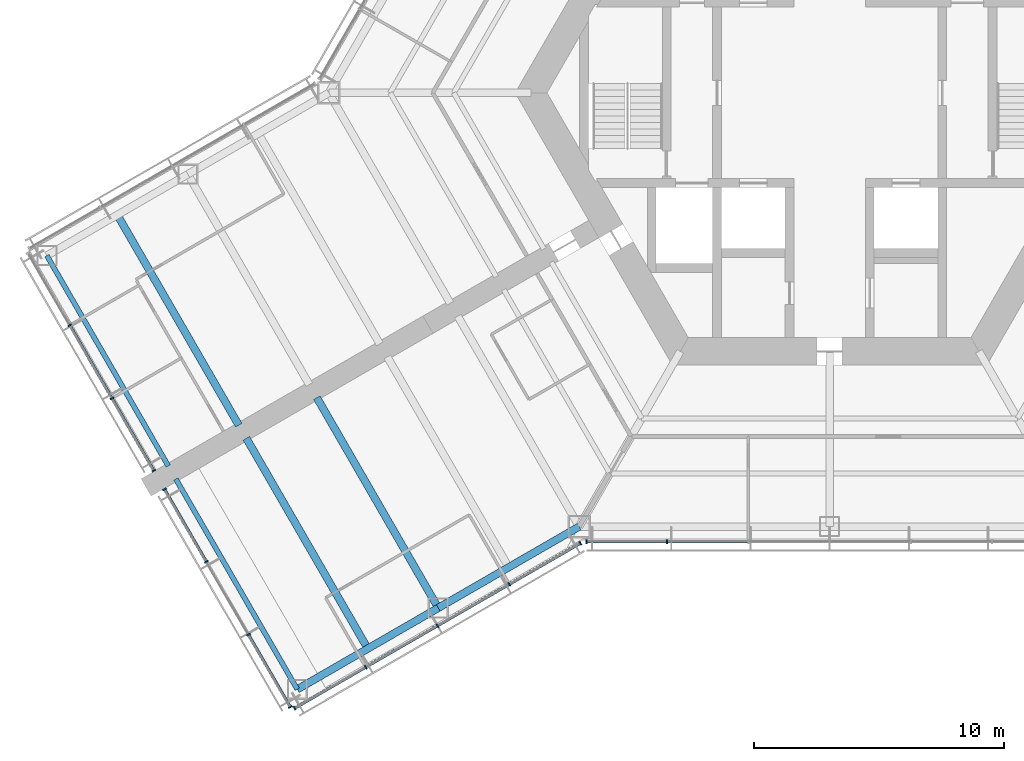
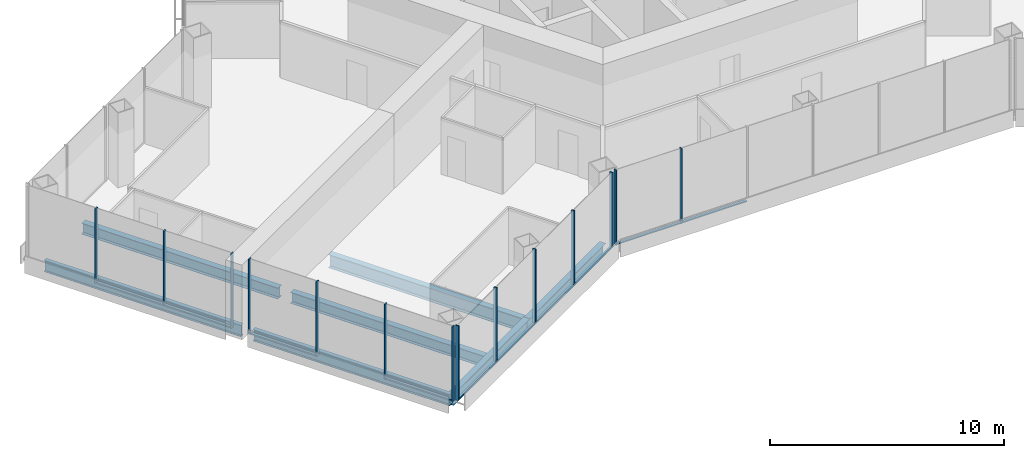
# One storey, part 2 of 19: 24 members, 7 beams, 4 elements without a shape of their own.
"""IFC4 building model written with IfcOpenShell, lengths in metres."""

from ifc_helpers import new_model, si_unit, direction, frame, origin, origin_2d, place, context, subcontext, project, spatial, rectangle, i_section, extrude, material, material_profile, profile_set, type_object, element, aggregate, save


model = new_model("IFC4")

# Units and contexts
model_context = context("Model", 3, precision=1e-05, world=origin(), true_north=direction((0.0, 1.0)))
body_context = subcontext(model_context, "Body", "Model", "MODEL_VIEW")
ifc_project = project(units=[si_unit("LENGTHUNIT", "METRE"), si_unit("AREAUNIT", "SQUARE_METRE"), si_unit("VOLUMEUNIT", "CUBIC_METRE"), si_unit("PLANEANGLEUNIT", "RADIAN"), si_unit("MASSUNIT", "GRAM", prefix="KILO")], contexts=[model_context])

# Site, building, storey
site_placement = place(None, origin())
site = spatial("IfcSite", under=ifc_project, at=site_placement, CompositionType="ELEMENT")
building_placement = place(site_placement, origin())
building = spatial("IfcBuilding", under=site, at=building_placement, Name="Kasaneha Research Tower", CompositionType="ELEMENT")
storey_placement = place(building_placement, frame((0.0, 0.0, 100.199951171875)))
storey = spatial("IfcBuildingStorey", under=building, at=storey_placement, Name="L25", CompositionType="ELEMENT", Elevation=100.199951171875)

# Beams
ifc_material_1 = material(Name="Steel SN490B", Category="steel")
ifc_material_profile_1 = material_profile(ifc_material_1, i_section(OverallWidth=0.300048828125, OverallDepth=0.58203125, WebThickness=0.011962890625, FlangeThickness=0.01708984375, FilletRadius=0.012939453125, at=origin_2d()), Name="H-582x300x12x17")
ifc_profile_set_1 = profile_set([ifc_material_profile_1], Name="Steel SN490B")
beam_type_1 = type_object("IfcBeamType", Name="B2-3 secondary beam H-582x300x12x17", PredefinedType="JOIST", material=ifc_profile_set_1)
for number, where, z_axis, x_axis, name in (
    (1, (-28.44384765625, -4.875, -0.44091796875), (0.500010041276, -0.866019606374, 0.0), (0.866019606374, 0.500010041276, 0.0), "Secondary beam WBBP2 L25"),
    (2, (-18.44384765625, -22.195556640625, -0.44091796875), (-0.499991164321, 0.866030505006, 0.0), (-0.866030505006, -0.499991164321, 0.0), "Secondary beam WBBN2 L25"),
):
    element("IfcBeam", number, at=place(storey_placement, frame(where, z_axis=z_axis, x_axis=x_axis)), inside=storey, type_object=beam_type_1, Name=name, PredefinedType="JOIST", context=body_context, shape_type="SweptSolid", body=[
        extrude(i_section(OverallWidth=0.300048828125, OverallDepth=0.58203125, WebThickness=0.011962890625, FlangeThickness=0.01708984375, FilletRadius=0.012939453125, at=origin_2d()), origin(), (0.0, 0.0, 1.0), 9.699951171875),
    ])

# Curtain wall, members
ifc_material_2 = material(Name="Glass and aluminium", Category="aluminium")
curtain_wall_type = type_object("IfcCurtainWallType", Name="Low-rise office curtain wall", PredefinedType="USERDEFINED", material=ifc_material_2)
curtain_wall_1_placement = place(storey_placement, origin())
curtain_wall_1 = element("IfcCurtainWall", 3, at=curtain_wall_1_placement, inside=storey, type_object=curtain_wall_type, Name="CW-O1 L25 run 01a", ObjectType="UNITISED CURTAIN WALL", PredefinedType="USERDEFINED")
ifc_material_3 = material(Name="Aluminium 6063-T6", Category="aluminium")
ifc_material_profile_2 = material_profile(ifc_material_3, rectangle(XDim=0.06005859375, YDim=0.159912109375, at=origin_2d()), Name="CW-O1 mullion 60x160")
ifc_profile_set_2 = profile_set([ifc_material_profile_2], Name="Aluminium 6063-T6")
member_type_1 = type_object("IfcMemberType", Name="CW-O1 mullion", PredefinedType="MULLION", material=ifc_profile_set_2)
member_1_placement = place(storey_placement, frame((-21.365478515625, -24.5751953125, 0.0), z_axis=(0.0, 0.0, 1.0), x_axis=(0.866025411464, 0.499999986699, 0.0)))
member_1 = element("IfcMember", 4, at=member_1_placement, type_object=member_type_1, Name="CW-O1 mullion 1", PredefinedType="MULLION", context=body_context, shape_type="SweptSolid", body=[
    extrude(rectangle(XDim=0.06005859375, YDim=0.159912109375, at=origin_2d()), origin(), (0.0, 0.0, 1.0), 3.900146484375),
])
member_2_placement = place(storey_placement, frame((-18.52490234375, -22.935302734375, 0.0), z_axis=(0.0, 0.0, 1.0), x_axis=(0.866025411464, 0.499999986699, 0.0)))
member_2 = element("IfcMember", 5, at=member_2_placement, type_object=member_type_1, Name="CW-O1 mullion 2", PredefinedType="MULLION", context=body_context, shape_type="SweptSolid", body=[
    extrude(rectangle(XDim=0.06005859375, YDim=0.159912109375, at=origin_2d()), origin(), (0.0, 0.0, 1.0), 3.900146484375),
])
member_3_placement = place(storey_placement, frame((-15.65869140625, -21.2802734375, 0.0), z_axis=(0.0, 0.0, 1.0), x_axis=(0.866025411464, 0.499999986699, 0.0)))
member_3 = element("IfcMember", 6, at=member_3_placement, type_object=member_type_1, Name="CW-O1 mullion 3", PredefinedType="MULLION", context=body_context, shape_type="SweptSolid", body=[
    extrude(rectangle(XDim=0.06005859375, YDim=0.159912109375, at=origin_2d()), origin(), (0.0, 0.0, 1.0), 3.900146484375),
])
member_4_placement = place(storey_placement, frame((-12.792236328125, -19.62548828125, 0.0), z_axis=(0.0, 0.0, 1.0), x_axis=(0.866025411464, 0.499999986699, 0.0)))
member_4 = element("IfcMember", 7, at=member_4_placement, type_object=member_type_1, Name="CW-O1 mullion 4", PredefinedType="MULLION", context=body_context, shape_type="SweptSolid", body=[
    extrude(rectangle(XDim=0.06005859375, YDim=0.159912109375, at=origin_2d()), origin(), (0.0, 0.0, 1.0), 3.900146484375),
])
member_5_placement = place(storey_placement, frame((-9.951904296875, -17.985595703125, 0.0), z_axis=(0.0, 0.0, 1.0), x_axis=(0.866025411464, 0.499999986699, 0.0)))
member_5 = element("IfcMember", 8, at=member_5_placement, type_object=member_type_1, Name="CW-O1 mullion 5", PredefinedType="MULLION", context=body_context, shape_type="SweptSolid", body=[
    extrude(rectangle(XDim=0.06005859375, YDim=0.159912109375, at=origin_2d()), origin(), (0.0, 0.0, 1.0), 3.900146484375),
])

curtain_wall_2_placement = place(storey_placement, origin())
curtain_wall_2 = element("IfcCurtainWall", 9, at=curtain_wall_2_placement, inside=storey, type_object=curtain_wall_type, Name="CW-O1 L25 run 02a", ObjectType="UNITISED CURTAIN WALL", PredefinedType="USERDEFINED")
member_6_placement = place(storey_placement, frame((-9.709228515625, -17.92041015625, 0.0), z_axis=(0.0, 0.0, 1.0), x_axis=(1.0, 0.0, 0.0)))
member_6 = element("IfcMember", 10, at=member_6_placement, type_object=member_type_1, Name="CW-O1 mullion 1", PredefinedType="MULLION", context=body_context, shape_type="SweptSolid", body=[
    extrude(rectangle(XDim=0.06005859375, YDim=0.159912109375, at=origin_2d()), origin(), (0.0, 0.0, 1.0), 3.900146484375),
])
member_7_placement = place(storey_placement, frame((-6.492919921875, -17.92041015625, 0.0), z_axis=(0.0, 0.0, 1.0), x_axis=(1.0, 0.0, 0.0)))
member_7 = element("IfcMember", 11, at=member_7_placement, type_object=member_type_1, Name="CW-O1 mullion 2", PredefinedType="MULLION", context=body_context, shape_type="SweptSolid", body=[
    extrude(rectangle(XDim=0.06005859375, YDim=0.159912109375, at=origin_2d()), origin(), (0.0, 0.0, 1.0), 3.900146484375),
])

curtain_wall_3_placement = place(storey_placement, origin())
curtain_wall_3 = element("IfcCurtainWall", 12, at=curtain_wall_3_placement, inside=storey, type_object=curtain_wall_type, Name="CW-O1 L25 run 14a", ObjectType="UNITISED CURTAIN WALL", PredefinedType="USERDEFINED")
member_8_placement = place(storey_placement, frame((-30.3447265625, -9.28271484375, 0.0), z_axis=(0.0, 0.0, 1.0), x_axis=(0.500000011442, -0.866025397178, 0.0)))
member_8 = element("IfcMember", 13, at=member_8_placement, type_object=member_type_1, Name="CW-O1 mullion 2", PredefinedType="MULLION", context=body_context, shape_type="SweptSolid", body=[
    extrude(rectangle(XDim=0.06005859375, YDim=0.159912109375, at=origin_2d()), origin(), (0.0, 0.0, 1.0), 3.900146484375),
])
member_9_placement = place(storey_placement, frame((-28.661376953125, -12.1982421875, 0.0), z_axis=(0.0, 0.0, 1.0), x_axis=(0.500000011442, -0.866025397178, 0.0)))
member_9 = element("IfcMember", 14, at=member_9_placement, type_object=member_type_1, Name="CW-O1 mullion 3", PredefinedType="MULLION", context=body_context, shape_type="SweptSolid", body=[
    extrude(rectangle(XDim=0.06005859375, YDim=0.159912109375, at=origin_2d()), origin(), (0.0, 0.0, 1.0), 3.900146484375),
])
member_10_placement = place(storey_placement, frame((-26.992919921875, -15.087890625, 0.0), z_axis=(0.0, 0.0, 1.0), x_axis=(0.500000011442, -0.866025397178, 0.0)))
member_10 = element("IfcMember", 15, at=member_10_placement, type_object=member_type_1, Name="CW-O1 mullion 4", PredefinedType="MULLION", context=body_context, shape_type="SweptSolid", body=[
    extrude(rectangle(XDim=0.06005859375, YDim=0.159912109375, at=origin_2d()), origin(), (0.0, 0.0, 1.0), 3.900146484375),
])

curtain_wall_4_placement = place(storey_placement, origin())
curtain_wall_4 = element("IfcCurtainWall", 16, at=curtain_wall_4_placement, inside=storey, type_object=curtain_wall_type, Name="CW-O1 L25 run 15a", ObjectType="UNITISED CURTAIN WALL", PredefinedType="USERDEFINED")
member_11_placement = place(storey_placement, frame((-26.56298828125, -15.832763671875, 0.0), z_axis=(0.0, 0.0, 1.0), x_axis=(0.500000011442, -0.866025397178, 0.0)))
member_11 = element("IfcMember", 17, at=member_11_placement, type_object=member_type_1, Name="CW-O1 mullion 1", PredefinedType="MULLION", context=body_context, shape_type="SweptSolid", body=[
    extrude(rectangle(XDim=0.06005859375, YDim=0.159912109375, at=origin_2d()), origin(), (0.0, 0.0, 1.0), 3.900146484375),
])
member_12_placement = place(storey_placement, frame((-24.89453125, -18.72216796875, 0.0), z_axis=(0.0, 0.0, 1.0), x_axis=(0.500000011442, -0.866025397178, 0.0)))
member_12 = element("IfcMember", 18, at=member_12_placement, type_object=member_type_1, Name="CW-O1 mullion 2", PredefinedType="MULLION", context=body_context, shape_type="SweptSolid", body=[
    extrude(rectangle(XDim=0.06005859375, YDim=0.159912109375, at=origin_2d()), origin(), (0.0, 0.0, 1.0), 3.900146484375),
])
member_13_placement = place(storey_placement, frame((-23.211181640625, -21.637939453125, 0.0), z_axis=(0.0, 0.0, 1.0), x_axis=(0.500000011442, -0.866025397178, 0.0)))
member_13 = element("IfcMember", 19, at=member_13_placement, type_object=member_type_1, Name="CW-O1 mullion 3", PredefinedType="MULLION", context=body_context, shape_type="SweptSolid", body=[
    extrude(rectangle(XDim=0.06005859375, YDim=0.159912109375, at=origin_2d()), origin(), (0.0, 0.0, 1.0), 3.900146484375),
])
member_14_placement = place(storey_placement, frame((-21.54296875, -24.527587890625, 0.0), z_axis=(0.0, 0.0, 1.0), x_axis=(0.500000011442, -0.866025397178, 0.0)))
member_14 = element("IfcMember", 20, at=member_14_placement, type_object=member_type_1, Name="CW-O1 mullion 4", PredefinedType="MULLION", context=body_context, shape_type="SweptSolid", body=[
    extrude(rectangle(XDim=0.06005859375, YDim=0.159912109375, at=origin_2d()), origin(), (0.0, 0.0, 1.0), 3.900146484375),
])

# Member
ifc_material_4 = material(Name="Aluminium 6063-T6", Category="aluminium")
ifc_material_profile_3 = material_profile(ifc_material_4, rectangle(XDim=0.1201171875, YDim=0.06005859375, at=origin_2d()), Name="CW-O1 transom 120x60")
ifc_profile_set_3 = profile_set([ifc_material_profile_3], Name="Aluminium 6063-T6")
member_type_2 = type_object("IfcMemberType", Name="CW-O1 transom", PredefinedType="USERDEFINED", material=ifc_profile_set_3)
member_15_placement = place(storey_placement, frame((-21.33935546875, -24.56005859375, 0.030029296875), z_axis=(0.866022692473, 0.500004696101, 0.0), x_axis=(-0.500004696101, 0.866022692473, 0.0)))
member_15 = element("IfcMember", 21, at=member_15_placement, type_object=member_type_2, Name="CW-O1 transom 1", ObjectType="TRANSOM", PredefinedType="USERDEFINED", context=body_context, shape_type="SweptSolid", body=[
    extrude(rectangle(XDim=0.1201171875, YDim=0.06005859375, at=origin_2d()), origin(), (0.0, 0.0, 1.0), 3.2197265625),
])

member_16_placement = place(storey_placement, frame((-18.4990234375, -22.920166015625, 0.030029296875), z_axis=(0.86604797581, 0.499960902066, 0.0), x_axis=(-0.499960902066, 0.86604797581, 0.0)))
member_16 = element("IfcMember", 22, at=member_16_placement, type_object=member_type_2, Name="CW-O1 transom 2", ObjectType="TRANSOM", PredefinedType="USERDEFINED", context=body_context, shape_type="SweptSolid", body=[
    extrude(rectangle(XDim=0.1201171875, YDim=0.06005859375, at=origin_2d()), origin(), (0.0, 0.0, 1.0), 3.249755859375),
])

member_17_placement = place(storey_placement, frame((-15.632568359375, -21.265380859375, 0.030029296875), z_axis=(0.866015446554, 0.500017246033, 0.0), x_axis=(-0.500017246033, 0.866015446554, 0.0)))
member_17 = element("IfcMember", 23, at=member_17_placement, type_object=member_type_2, Name="CW-O1 transom 3", ObjectType="TRANSOM", PredefinedType="USERDEFINED", context=body_context, shape_type="SweptSolid", body=[
    extrude(rectangle(XDim=0.1201171875, YDim=0.06005859375, at=origin_2d()), origin(), (0.0, 0.0, 1.0), 3.25),
])

member_18_placement = place(storey_placement, frame((-12.76611328125, -19.6103515625, 0.030029296875), z_axis=(0.866022692473, 0.500004696101, 0.0), x_axis=(-0.500004696101, 0.866022692473, 0.0)))
member_18 = element("IfcMember", 24, at=member_18_placement, type_object=member_type_2, Name="CW-O1 transom 4", ObjectType="TRANSOM", PredefinedType="USERDEFINED", context=body_context, shape_type="SweptSolid", body=[
    extrude(rectangle(XDim=0.1201171875, YDim=0.06005859375, at=origin_2d()), origin(), (0.0, 0.0, 1.0), 3.2197265625),
])

aggregate(curtain_wall_1, [member_1, member_2, member_3, member_4, member_5, member_15, member_16, member_17, member_18])

member_19_placement = place(storey_placement, frame((-9.67919921875, -17.92041015625, 0.030029296875), z_axis=(1.0, 0.0, 0.0), x_axis=(0.0, 1.0, 0.0)))
member_19 = element("IfcMember", 25, at=member_19_placement, type_object=member_type_2, Name="CW-O1 transom 1", ObjectType="TRANSOM", PredefinedType="USERDEFINED", context=body_context, shape_type="SweptSolid", body=[
    extrude(rectangle(XDim=0.1201171875, YDim=0.06005859375, at=origin_2d()), origin(), (0.0, 0.0, 1.0), 3.156494140625),
])

member_20_placement = place(storey_placement, frame((-6.462890625, -17.92041015625, 0.030029296875), z_axis=(1.0, 0.0, 0.0), x_axis=(0.0, 1.0, 0.0)))
member_20 = element("IfcMember", 26, at=member_20_placement, type_object=member_type_2, Name="CW-O1 transom 2", ObjectType="TRANSOM", PredefinedType="USERDEFINED", context=body_context, shape_type="SweptSolid", body=[
    extrude(rectangle(XDim=0.1201171875, YDim=0.06005859375, at=origin_2d()), origin(), (0.0, 0.0, 1.0), 3.1865234375),
])

aggregate(curtain_wall_2, [member_6, member_7, member_19, member_20])

member_21_placement = place(storey_placement, frame((-30.32958984375, -9.30859375, 0.030029296875), z_axis=(0.499982354831, -0.866035590988, 0.0), x_axis=(0.866035590988, 0.499982354831, 0.0)))
member_21 = element("IfcMember", 27, at=member_21_placement, type_object=member_type_2, Name="CW-O1 transom 2", ObjectType="TRANSOM", PredefinedType="USERDEFINED", context=body_context, shape_type="SweptSolid", body=[
    extrude(rectangle(XDim=0.1201171875, YDim=0.06005859375, at=origin_2d()), origin(), (0.0, 0.0, 1.0), 3.306640625),
])

member_22_placement = place(storey_placement, frame((-28.646240234375, -12.22412109375, 0.030029296875), z_axis=(0.499969700927, -0.866042896256, 0.0), x_axis=(0.866042896256, 0.499969700927, 0.0)))
member_22 = element("IfcMember", 28, at=member_22_placement, type_object=member_type_2, Name="CW-O1 transom 3", ObjectType="TRANSOM", PredefinedType="USERDEFINED", context=body_context, shape_type="SweptSolid", body=[
    extrude(rectangle(XDim=0.1201171875, YDim=0.06005859375, at=origin_2d()), origin(), (0.0, 0.0, 1.0), 3.276611328125),
])

aggregate(curtain_wall_3, [member_8, member_9, member_10, member_21, member_22])

member_23_placement = place(storey_placement, frame((-26.5478515625, -15.858642578125, 0.030029296875), z_axis=(0.499969700927, -0.866042896256, 0.0), x_axis=(0.866042896256, 0.499969700927, 0.0)))
member_23 = element("IfcMember", 29, at=member_23_placement, type_object=member_type_2, Name="CW-O1 transom 1", ObjectType="TRANSOM", PredefinedType="USERDEFINED", context=body_context, shape_type="SweptSolid", body=[
    extrude(rectangle(XDim=0.1201171875, YDim=0.06005859375, at=origin_2d()), origin(), (0.0, 0.0, 1.0), 3.276611328125),
])

member_24_placement = place(storey_placement, frame((-23.1962890625, -21.663818359375, 0.030029296875), z_axis=(0.500025583411, -0.866010632691, 0.0), x_axis=(0.866010632691, 0.500025583411, 0.0)))
member_24 = element("IfcMember", 30, at=member_24_placement, type_object=member_type_2, Name="CW-O1 transom 3", ObjectType="TRANSOM", PredefinedType="USERDEFINED", context=body_context, shape_type="SweptSolid", body=[
    extrude(rectangle(XDim=0.1201171875, YDim=0.06005859375, at=origin_2d()), origin(), (0.0, 0.0, 1.0), 3.276611328125),
])

aggregate(curtain_wall_4, [member_11, member_12, member_13, member_14, member_23, member_24])

# Beams
ifc_material_5 = material(Name="Steel SN490B", Category="steel")
ifc_material_profile_4 = material_profile(ifc_material_5, i_section(OverallWidth=0.300048828125, OverallDepth=0.699951171875, WebThickness=0.012939453125, FlangeThickness=0.02392578125, FilletRadius=0.01806640625, at=origin_2d()), Name="H-700x300x13x24")
ifc_profile_set_4 = profile_set([ifc_material_profile_4], Name="Steel SN490B")
beam_type_2 = type_object("IfcBeamType", Name="G4-3 wing girder H-700x300x13x24", PredefinedType="BEAM", material=ifc_profile_set_4)
beam_placement = place(storey_placement, frame((-15.629150390625, -20.570556640625, -0.5), z_axis=(-0.500010041276, 0.866019606374, 0.0), x_axis=(-0.866019606374, -0.500010041276, 0.0)))
element("IfcBeam", 31, at=beam_placement, inside=storey, type_object=beam_type_2, Name="Wing girder WGBN L25", PredefinedType="BEAM", context=body_context, shape_type="SweptSolid", body=[
    extrude(i_section(OverallWidth=0.300048828125, OverallDepth=0.699951171875, WebThickness=0.012939453125, FlangeThickness=0.02392578125, FilletRadius=0.01806640625, at=origin_2d()), origin(), (0.0, 0.0, 1.0), 9.699951171875),
])
ifc_material_6 = material(Name="Steel SN490B", Category="steel")
ifc_material_profile_5 = material_profile(ifc_material_6, i_section(OverallWidth=0.300048828125, OverallDepth=0.58203125, WebThickness=0.011962890625, FlangeThickness=0.01708984375, FilletRadius=0.012939453125, at=origin_2d()), Name="H-582x300x12x17")
ifc_profile_set_5 = profile_set([ifc_material_profile_5], Name="Steel SN490B")
beam_type_3 = type_object("IfcBeamType", Name="SB2-3 spandrel beam H-582x300x12x17", PredefinedType="SPANDREL", material=ifc_profile_set_5)
for number, where, z_axis, x_axis, name in (
    (32, (-10.0, -17.320556640625, -0.44091796875), (-0.866024837091, -0.50000098154, 0.0), (0.50000098154, -0.866024837091, 0.0), "Spandrel beam WSBN1 L25"),
    (33, (-15.629150390625, -20.570556640625, -0.44091796875), (-0.866024837091, -0.50000098154, 0.0), (0.50000098154, -0.866024837091, 0.0), "Spandrel beam WSBN2 L25"),
):
    element("IfcBeam", number, at=place(storey_placement, frame(where, z_axis=z_axis, x_axis=x_axis)), inside=storey, type_object=beam_type_3, Name=name, PredefinedType="SPANDREL", context=body_context, shape_type="SweptSolid", body=[
        extrude(i_section(OverallWidth=0.300048828125, OverallDepth=0.58203125, WebThickness=0.011962890625, FlangeThickness=0.01708984375, FilletRadius=0.012939453125, at=origin_2d()), origin(), (0.0, 0.0, 1.0), 6.5),
    ])
ifc_material_7 = material(Name="Steel SN490B", Category="steel")
ifc_material_profile_6 = material_profile(ifc_material_7, i_section(OverallWidth=0.199951171875, OverallDepth=0.60009765625, WebThickness=0.010986328125, FlangeThickness=0.01708984375, FilletRadius=0.012939453125, at=origin_2d()), Name="H-600x200x11x17")
ifc_profile_set_6 = profile_set([ifc_material_profile_6], Name="Steel SN490B")
beam_type_4 = type_object("IfcBeamType", Name="SB3-3 spandrel beam H-600x200x11x17", PredefinedType="SPANDREL", material=ifc_profile_set_6)
for number, where, z_axis, x_axis, name in (
    (34, (-31.25830078125, -6.5, -0.449951171875), (0.499991164321, -0.866030505006, 0.0), (0.866030505006, 0.499991164321, 0.0), "Spandrel beam WTBP L25"),
    (35, (-21.25830078125, -23.820556640625, -0.449951171875), (-0.500010041276, 0.866019606374, 0.0), (-0.866019606374, -0.500010041276, 0.0), "Spandrel beam WTBN L25"),
):
    element("IfcBeam", number, at=place(storey_placement, frame(where, z_axis=z_axis, x_axis=x_axis)), inside=storey, type_object=beam_type_4, Name=name, PredefinedType="SPANDREL", context=body_context, shape_type="SweptSolid", body=[
        extrude(i_section(OverallWidth=0.199951171875, OverallDepth=0.60009765625, WebThickness=0.010986328125, FlangeThickness=0.01708984375, FilletRadius=0.012939453125, at=origin_2d()), origin(), (0.0, 0.0, 1.0), 9.699951171875),
    ])

save(model, "model.ifc")
